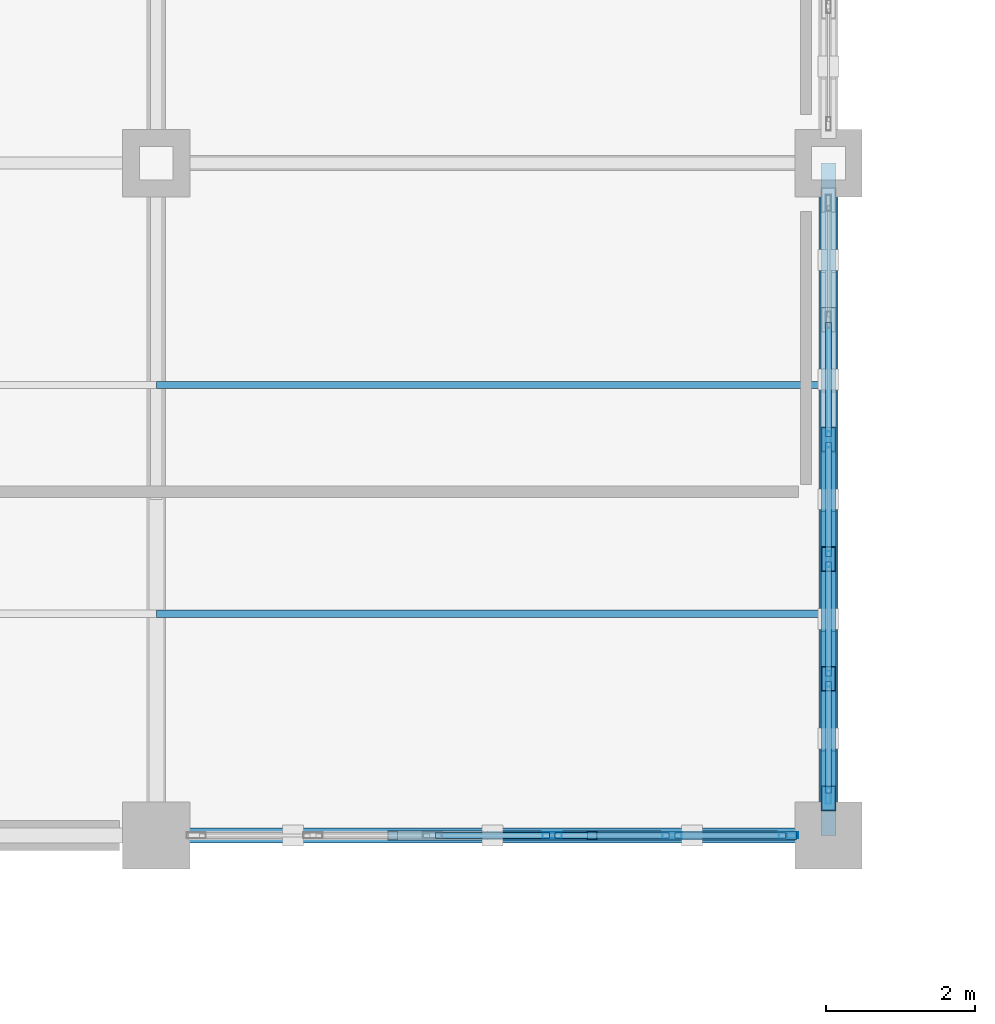
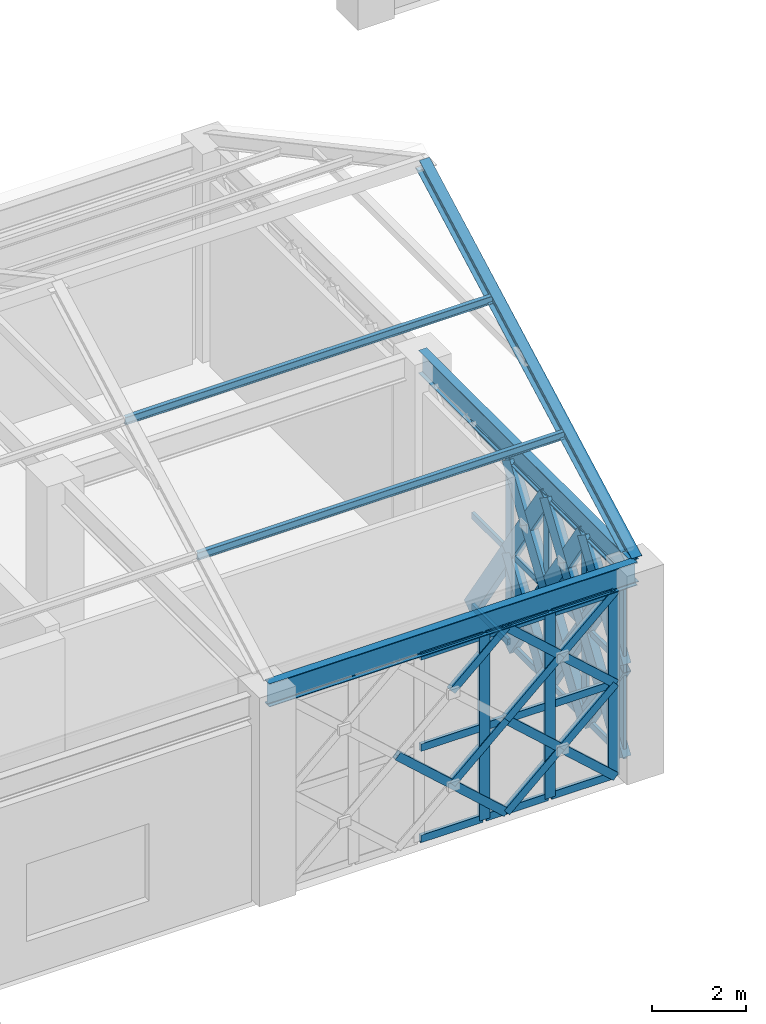
# One storey, part 63 of 166: 59 members, 2 beams, 2 elements without a shape of their own.
"""IFC4 building model written with IfcOpenShell, lengths in metres."""

from ifc_helpers import new_model, si_unit, direction, frame, origin, origin_2d, place, context, subcontext, project, spatial, hollow_rectangle, i_section, extrude, material, material_profile, profile_set, type_object, element, aggregate, save


model = new_model("IFC4")

# Units and contexts
model_context = context("Model", 3, precision=1e-05, world=origin(), true_north=direction((0.0, 1.0)))
body_context = subcontext(model_context, "Body", "Model", "MODEL_VIEW")
ifc_project = project(units=[si_unit("LENGTHUNIT", "METRE"), si_unit("AREAUNIT", "SQUARE_METRE"), si_unit("VOLUMEUNIT", "CUBIC_METRE"), si_unit("PLANEANGLEUNIT", "RADIAN"), si_unit("MASSUNIT", "GRAM", prefix="KILO")], contexts=[model_context])

# Site, building, storey
site_placement = place(None, origin())
site = spatial("IfcSite", under=ifc_project, at=site_placement, CompositionType="ELEMENT")
building_placement = place(site_placement, origin())
building = spatial("IfcBuilding", under=site, at=building_placement, Name="Haizhuo Lancet Aquarium", CompositionType="ELEMENT")
storey_placement = place(building_placement, frame((0.0, 0.0, 5.39990234375)))
storey = spatial("IfcBuildingStorey", under=building, at=storey_placement, Name="L01", CompositionType="ELEMENT", Elevation=5.39990234375)

# Beams
ifc_material_1 = material(Name="Steel S355", Category="steel")
ifc_material_profile_1 = material_profile(ifc_material_1, i_section(OverallWidth=0.199951171875, OverallDepth=0.60009765625, WebThickness=0.010986328125, FlangeThickness=0.01708984375, FilletRadius=0.02197265625, at=origin_2d()), Name="HN 600x200x11x17")
ifc_profile_set_1 = profile_set([ifc_material_profile_1], Name="Steel S355")
beam_type = type_object("IfcBeamType", Name="BM-ST-HN600", PredefinedType="BEAM", material=ifc_profile_set_1)
for number, where, z_axis, x_axis, name in (
    (1, (-45.0, 9.0, 5.10009765625), (1.0, 0.0, 0.0), (0.0, 1.0, 0.0), "L01 V2 primary girder BM-L01-V2-019"),
    (2, (-36.0, 9.0, 5.10009765625), (0.0, 1.0, 0.0), (-1.0, 0.0, 0.0), "L01 V2 primary girder BM-L01-V2-023"),
):
    element("IfcBeam", number, at=place(storey_placement, frame(where, z_axis=z_axis, x_axis=x_axis)), inside=storey, type_object=beam_type, Name=name, PredefinedType="BEAM", context=body_context, shape_type="SweptSolid", body=[
        extrude(i_section(OverallWidth=0.199951171875, OverallDepth=0.60009765625, WebThickness=0.010986328125, FlangeThickness=0.01708984375, FilletRadius=0.02197265625, at=origin_2d()), origin(), (0.0, 0.0, 1.0), 9.0),
    ])

# Curtain wall, members
ifc_material_2 = material(Name="Aluminium 6063-T6", Category="aluminium")
curtain_wall_type_1 = type_object("IfcCurtainWallType", Name="CWD-8010x4800", PredefinedType="NOTDEFINED", material=ifc_material_2)
curtain_wall_1_placement = place(storey_placement, origin())
curtain_wall_1 = element("IfcCurtainWall", 3, at=curtain_wall_1_placement, inside=storey, type_object=curtain_wall_type_1, Name="L01 curtain wall CW-V2-L01-026", PredefinedType="NOTDEFINED")
ifc_material_profile_2 = material_profile(ifc_material_2, hollow_rectangle(XDim=0.074951171875, YDim=0.219970703125, WallThickness=0.0048828125, at=origin_2d()), Name="ALU-M 75x220x5")
ifc_profile_set_2 = profile_set([ifc_material_profile_2], Name="Aluminium 6063-T6")
member_type_1 = type_object("IfcMemberType", Name="CW-MUL-2", PredefinedType="MULLION", material=ifc_profile_set_2)
member_1_placement = place(storey_placement, frame((-36.0, 14.301025390625, 0.0), z_axis=(0.0, 0.0, 1.0), x_axis=(1.0, 0.0, 0.0)))
member_1 = element("IfcMember", 4, at=member_1_placement, type_object=member_type_1, Name="CWD-80x48 mullion 3", PredefinedType="MULLION", context=body_context, shape_type="SweptSolid", body=[
    extrude(hollow_rectangle(XDim=0.074951171875, YDim=0.219970703125, WallThickness=0.0048828125, at=origin_2d()), origin(), (0.0, 0.0, 1.0), 4.800048828125),
])
member_2_placement = place(storey_placement, frame((-36.0, 12.698974609375, 0.0), z_axis=(0.0, 0.0, 1.0), x_axis=(1.0, 0.0, 0.0)))
member_2 = element("IfcMember", 5, at=member_2_placement, type_object=member_type_1, Name="CWD-80x48 mullion 4", PredefinedType="MULLION", context=body_context, shape_type="SweptSolid", body=[
    extrude(hollow_rectangle(XDim=0.074951171875, YDim=0.219970703125, WallThickness=0.0048828125, at=origin_2d()), origin(), (0.0, 0.0, 1.0), 4.800048828125),
])
member_3_placement = place(storey_placement, frame((-36.0, 11.096923828125, 0.0), z_axis=(0.0, 0.0, 1.0), x_axis=(1.0, 0.0, 0.0)))
member_3 = element("IfcMember", 6, at=member_3_placement, type_object=member_type_1, Name="CWD-80x48 mullion 5", PredefinedType="MULLION", context=body_context, shape_type="SweptSolid", body=[
    extrude(hollow_rectangle(XDim=0.074951171875, YDim=0.219970703125, WallThickness=0.0048828125, at=origin_2d()), origin(), (0.0, 0.0, 1.0), 4.800048828125),
])
member_4_placement = place(storey_placement, frame((-36.0, 9.531982421875, 0.0), z_axis=(0.0, 0.0, 1.0), x_axis=(1.0, 0.0, 0.0)))
member_4 = element("IfcMember", 7, at=member_4_placement, type_object=member_type_1, Name="CWD-80x48 mullion 6", PredefinedType="MULLION", context=body_context, shape_type="SweptSolid", body=[
    extrude(hollow_rectangle(XDim=0.074951171875, YDim=0.219970703125, WallThickness=0.0048828125, at=origin_2d()), origin(), (0.0, 0.0, 1.0), 4.800048828125),
])

curtain_wall_type_2 = type_object("IfcCurtainWallType", Name="CWO-8010x4800", PredefinedType="NOTDEFINED", material=ifc_material_2)
curtain_wall_2_placement = place(storey_placement, origin())
curtain_wall_2 = element("IfcCurtainWall", 8, at=curtain_wall_2_placement, inside=storey, type_object=curtain_wall_type_2, Name="L01 curtain wall CW-V2-L01-027", PredefinedType="NOTDEFINED")
ifc_material_profile_3 = material_profile(ifc_material_2, hollow_rectangle(XDim=0.080078125, YDim=0.260009765625, WallThickness=0.0048828125, at=origin_2d()), Name="ALU-M 80x260x5")
ifc_profile_set_3 = profile_set([ifc_material_profile_3], Name="Aluminium 6063-T6")
member_type_2 = type_object("IfcMemberType", Name="CW-MUL-3", PredefinedType="MULLION", material=ifc_profile_set_3)
member_5_placement = place(storey_placement, frame((-36.534912109375, 9.0, 0.0), z_axis=(0.0, 0.0, 1.0), x_axis=(0.0, -1.0, 0.0)))
member_5 = element("IfcMember", 9, at=member_5_placement, type_object=member_type_2, Name="CWO-80x48 mullion 1", PredefinedType="MULLION", context=body_context, shape_type="SweptSolid", body=[
    extrude(hollow_rectangle(XDim=0.080078125, YDim=0.260009765625, WallThickness=0.0048828125, at=origin_2d()), origin(), (0.0, 0.0, 1.0), 4.800048828125),
])
member_6_placement = place(storey_placement, frame((-38.096923828125, 9.0, 0.0), z_axis=(0.0, 0.0, 1.0), x_axis=(0.0, -1.0, 0.0)))
member_6 = element("IfcMember", 10, at=member_6_placement, type_object=member_type_2, Name="CWO-80x48 mullion 2", PredefinedType="MULLION", context=body_context, shape_type="SweptSolid", body=[
    extrude(hollow_rectangle(XDim=0.080078125, YDim=0.260009765625, WallThickness=0.0048828125, at=origin_2d()), origin(), (0.0, 0.0, 1.0), 4.800048828125),
])
member_7_placement = place(storey_placement, frame((-39.698974609375, 9.0, 0.0), z_axis=(0.0, 0.0, 1.0), x_axis=(0.0, -1.0, 0.0)))
member_7 = element("IfcMember", 11, at=member_7_placement, type_object=member_type_2, Name="CWO-80x48 mullion 3", PredefinedType="MULLION", context=body_context, shape_type="SweptSolid", body=[
    extrude(hollow_rectangle(XDim=0.080078125, YDim=0.260009765625, WallThickness=0.0048828125, at=origin_2d()), origin(), (0.0, 0.0, 1.0), 4.800048828125),
])

# Member
ifc_material_profile_4 = material_profile(ifc_material_2, hollow_rectangle(XDim=0.074951171875, YDim=0.159912109375, WallThickness=0.00390625, at=origin_2d()), Name="ALU-T 75x160x4")
ifc_profile_set_4 = profile_set([ifc_material_profile_4], Name="Aluminium 6063-T6")
member_type_3 = type_object("IfcMemberType", Name="CW-TRN-2", PredefinedType="NOTDEFINED", material=ifc_profile_set_4)
member_8_placement = place(storey_placement, frame((-36.0, 15.864990234375, 0.0380859375), z_axis=(0.0, -1.0, 0.0), x_axis=(1.0, 0.0, 0.0)))
member_8 = element("IfcMember", 12, at=member_8_placement, type_object=member_type_3, Name="CWD-80x48 transom 2.1", ObjectType="TRANSOM", PredefinedType="USERDEFINED", context=body_context, shape_type="SweptSolid", body=[
    extrude(hollow_rectangle(XDim=0.074951171875, YDim=0.159912109375, WallThickness=0.00390625, at=origin_2d()), origin(), (0.0, 0.0, 1.0), 1.527099609375),
])

member_9_placement = place(storey_placement, frame((-36.0, 15.864990234375, 2.400146484375), z_axis=(0.0, -1.0, 0.0), x_axis=(1.0, 0.0, 0.0)))
member_9 = element("IfcMember", 13, at=member_9_placement, type_object=member_type_3, Name="CWD-80x48 transom 2.2", ObjectType="TRANSOM", PredefinedType="USERDEFINED", context=body_context, shape_type="SweptSolid", body=[
    extrude(hollow_rectangle(XDim=0.074951171875, YDim=0.159912109375, WallThickness=0.00390625, at=origin_2d()), origin(), (0.0, 0.0, 1.0), 1.527099609375),
])

member_10_placement = place(storey_placement, frame((-36.0, 15.864990234375, 4.76220703125), z_axis=(0.0, -1.0, 0.0), x_axis=(1.0, 0.0, 0.0)))
member_10 = element("IfcMember", 14, at=member_10_placement, type_object=member_type_3, Name="CWD-80x48 transom 2.3", ObjectType="TRANSOM", PredefinedType="USERDEFINED", context=body_context, shape_type="SweptSolid", body=[
    extrude(hollow_rectangle(XDim=0.074951171875, YDim=0.159912109375, WallThickness=0.00390625, at=origin_2d()), origin(), (0.0, 0.0, 1.0), 1.527099609375),
])

member_11_placement = place(storey_placement, frame((-36.0, 14.262939453125, 0.0380859375), z_axis=(0.0, -1.0, 0.0), x_axis=(1.0, 0.0, 0.0)))
member_11 = element("IfcMember", 15, at=member_11_placement, type_object=member_type_3, Name="CWD-80x48 transom 3.1", ObjectType="TRANSOM", PredefinedType="USERDEFINED", context=body_context, shape_type="SweptSolid", body=[
    extrude(hollow_rectangle(XDim=0.074951171875, YDim=0.159912109375, WallThickness=0.00390625, at=origin_2d()), origin(), (0.0, 0.0, 1.0), 1.52685546875),
])

member_12_placement = place(storey_placement, frame((-36.0, 14.262939453125, 2.400146484375), z_axis=(0.0, -1.0, 0.0), x_axis=(1.0, 0.0, 0.0)))
member_12 = element("IfcMember", 16, at=member_12_placement, type_object=member_type_3, Name="CWD-80x48 transom 3.2", ObjectType="TRANSOM", PredefinedType="USERDEFINED", context=body_context, shape_type="SweptSolid", body=[
    extrude(hollow_rectangle(XDim=0.074951171875, YDim=0.159912109375, WallThickness=0.00390625, at=origin_2d()), origin(), (0.0, 0.0, 1.0), 1.52685546875),
])

member_13_placement = place(storey_placement, frame((-36.0, 14.262939453125, 4.76220703125), z_axis=(0.0, -1.0, 0.0), x_axis=(1.0, 0.0, 0.0)))
member_13 = element("IfcMember", 17, at=member_13_placement, type_object=member_type_3, Name="CWD-80x48 transom 3.3", ObjectType="TRANSOM", PredefinedType="USERDEFINED", context=body_context, shape_type="SweptSolid", body=[
    extrude(hollow_rectangle(XDim=0.074951171875, YDim=0.159912109375, WallThickness=0.00390625, at=origin_2d()), origin(), (0.0, 0.0, 1.0), 1.52685546875),
])

member_14_placement = place(storey_placement, frame((-36.0, 12.662109375, 0.0380859375), z_axis=(0.0, -1.0, 0.0), x_axis=(1.0, 0.0, 0.0)))
member_14 = element("IfcMember", 18, at=member_14_placement, type_object=member_type_3, Name="CWD-80x48 transom 4.1", ObjectType="TRANSOM", PredefinedType="USERDEFINED", context=body_context, shape_type="SweptSolid", body=[
    extrude(hollow_rectangle(XDim=0.074951171875, YDim=0.159912109375, WallThickness=0.00390625, at=origin_2d()), origin(), (0.0, 0.0, 1.0), 1.528076171875),
])

member_15_placement = place(storey_placement, frame((-36.0, 12.662109375, 2.400146484375), z_axis=(0.0, -1.0, 0.0), x_axis=(1.0, 0.0, 0.0)))
member_15 = element("IfcMember", 19, at=member_15_placement, type_object=member_type_3, Name="CWD-80x48 transom 4.2", ObjectType="TRANSOM", PredefinedType="USERDEFINED", context=body_context, shape_type="SweptSolid", body=[
    extrude(hollow_rectangle(XDim=0.074951171875, YDim=0.159912109375, WallThickness=0.00390625, at=origin_2d()), origin(), (0.0, 0.0, 1.0), 1.528076171875),
])

member_16_placement = place(storey_placement, frame((-36.0, 12.662109375, 4.76220703125), z_axis=(0.0, -1.0, 0.0), x_axis=(1.0, 0.0, 0.0)))
member_16 = element("IfcMember", 20, at=member_16_placement, type_object=member_type_3, Name="CWD-80x48 transom 4.3", ObjectType="TRANSOM", PredefinedType="USERDEFINED", context=body_context, shape_type="SweptSolid", body=[
    extrude(hollow_rectangle(XDim=0.074951171875, YDim=0.159912109375, WallThickness=0.00390625, at=origin_2d()), origin(), (0.0, 0.0, 1.0), 1.528076171875),
])

member_17_placement = place(storey_placement, frame((-36.0, 11.05908203125, 0.0380859375), z_axis=(0.0, -1.0, 0.0), x_axis=(1.0, 0.0, 0.0)))
member_17 = element("IfcMember", 21, at=member_17_placement, type_object=member_type_3, Name="CWD-80x48 transom 5.1", ObjectType="TRANSOM", PredefinedType="USERDEFINED", context=body_context, shape_type="SweptSolid", body=[
    extrude(hollow_rectangle(XDim=0.074951171875, YDim=0.159912109375, WallThickness=0.00390625, at=origin_2d()), origin(), (0.0, 0.0, 1.0), 1.489013671875),
])

member_18_placement = place(storey_placement, frame((-36.0, 11.05908203125, 2.400146484375), z_axis=(0.0, -1.0, 0.0), x_axis=(1.0, 0.0, 0.0)))
member_18 = element("IfcMember", 22, at=member_18_placement, type_object=member_type_3, Name="CWD-80x48 transom 5.2", ObjectType="TRANSOM", PredefinedType="USERDEFINED", context=body_context, shape_type="SweptSolid", body=[
    extrude(hollow_rectangle(XDim=0.074951171875, YDim=0.159912109375, WallThickness=0.00390625, at=origin_2d()), origin(), (0.0, 0.0, 1.0), 1.489013671875),
])

member_19_placement = place(storey_placement, frame((-36.0, 11.05908203125, 4.76220703125), z_axis=(0.0, -1.0, 0.0), x_axis=(1.0, 0.0, 0.0)))
member_19 = element("IfcMember", 23, at=member_19_placement, type_object=member_type_3, Name="CWD-80x48 transom 5.3", ObjectType="TRANSOM", PredefinedType="USERDEFINED", context=body_context, shape_type="SweptSolid", body=[
    extrude(hollow_rectangle(XDim=0.074951171875, YDim=0.159912109375, WallThickness=0.00390625, at=origin_2d()), origin(), (0.0, 0.0, 1.0), 1.489013671875),
])

aggregate(curtain_wall_1, [member_1, member_2, member_3, member_4, member_8, member_9, member_10, member_11, member_12, member_13, member_14, member_15, member_16, member_17, member_18, member_19])

ifc_material_profile_5 = material_profile(ifc_material_2, hollow_rectangle(XDim=0.080078125, YDim=0.18994140625, WallThickness=0.0048828125, at=origin_2d()), Name="ALU-T 80x190x5")
ifc_profile_set_5 = profile_set([ifc_material_profile_5], Name="Aluminium 6063-T6")
member_type_4 = type_object("IfcMemberType", Name="CW-TRN-3", PredefinedType="NOTDEFINED", material=ifc_profile_set_5)
member_20_placement = place(storey_placement, frame((-36.574951171875, 9.0, 0.0400390625), z_axis=(-1.0, 0.0, 0.0), x_axis=(0.0, -1.0, 0.0)))
member_20 = element("IfcMember", 24, at=member_20_placement, type_object=member_type_4, Name="CWO-80x48 transom 1.1", ObjectType="TRANSOM", PredefinedType="USERDEFINED", context=body_context, shape_type="SweptSolid", body=[
    extrude(hollow_rectangle(XDim=0.080078125, YDim=0.18994140625, WallThickness=0.0048828125, at=origin_2d()), origin(), (0.0, 0.0, 1.0), 1.48193359375),
])

member_21_placement = place(storey_placement, frame((-36.574951171875, 9.0, 2.400146484375), z_axis=(-1.0, 0.0, 0.0), x_axis=(0.0, -1.0, 0.0)))
member_21 = element("IfcMember", 25, at=member_21_placement, type_object=member_type_4, Name="CWO-80x48 transom 1.2", ObjectType="TRANSOM", PredefinedType="USERDEFINED", context=body_context, shape_type="SweptSolid", body=[
    extrude(hollow_rectangle(XDim=0.080078125, YDim=0.18994140625, WallThickness=0.0048828125, at=origin_2d()), origin(), (0.0, 0.0, 1.0), 1.48193359375),
])

member_22_placement = place(storey_placement, frame((-36.574951171875, 9.0, 4.760009765625), z_axis=(-1.0, 0.0, 0.0), x_axis=(0.0, -1.0, 0.0)))
member_22 = element("IfcMember", 26, at=member_22_placement, type_object=member_type_4, Name="CWO-80x48 transom 1.3", ObjectType="TRANSOM", PredefinedType="USERDEFINED", context=body_context, shape_type="SweptSolid", body=[
    extrude(hollow_rectangle(XDim=0.080078125, YDim=0.18994140625, WallThickness=0.0048828125, at=origin_2d()), origin(), (0.0, 0.0, 1.0), 1.48193359375),
])

member_23_placement = place(storey_placement, frame((-38.136962890625, 9.0, 0.0400390625), z_axis=(-1.0, 0.0, 0.0), x_axis=(0.0, -1.0, 0.0)))
member_23 = element("IfcMember", 27, at=member_23_placement, type_object=member_type_4, Name="CWO-80x48 transom 2.1", ObjectType="TRANSOM", PredefinedType="USERDEFINED", context=body_context, shape_type="SweptSolid", body=[
    extrude(hollow_rectangle(XDim=0.080078125, YDim=0.18994140625, WallThickness=0.0048828125, at=origin_2d()), origin(), (0.0, 0.0, 1.0), 1.52197265625),
])

member_24_placement = place(storey_placement, frame((-38.136962890625, 9.0, 2.400146484375), z_axis=(-1.0, 0.0, 0.0), x_axis=(0.0, -1.0, 0.0)))
member_24 = element("IfcMember", 28, at=member_24_placement, type_object=member_type_4, Name="CWO-80x48 transom 2.2", ObjectType="TRANSOM", PredefinedType="USERDEFINED", context=body_context, shape_type="SweptSolid", body=[
    extrude(hollow_rectangle(XDim=0.080078125, YDim=0.18994140625, WallThickness=0.0048828125, at=origin_2d()), origin(), (0.0, 0.0, 1.0), 1.52197265625),
])

member_25_placement = place(storey_placement, frame((-38.136962890625, 9.0, 4.760009765625), z_axis=(-1.0, 0.0, 0.0), x_axis=(0.0, -1.0, 0.0)))
member_25 = element("IfcMember", 29, at=member_25_placement, type_object=member_type_4, Name="CWO-80x48 transom 2.3", ObjectType="TRANSOM", PredefinedType="USERDEFINED", context=body_context, shape_type="SweptSolid", body=[
    extrude(hollow_rectangle(XDim=0.080078125, YDim=0.18994140625, WallThickness=0.0048828125, at=origin_2d()), origin(), (0.0, 0.0, 1.0), 1.52197265625),
])

member_26_placement = place(storey_placement, frame((-39.739013671875, 9.0, 0.0400390625), z_axis=(-1.0, 0.0, 0.0), x_axis=(0.0, -1.0, 0.0)))
member_26 = element("IfcMember", 30, at=member_26_placement, type_object=member_type_4, Name="CWO-80x48 transom 3.1", ObjectType="TRANSOM", PredefinedType="USERDEFINED", context=body_context, shape_type="SweptSolid", body=[
    extrude(hollow_rectangle(XDim=0.080078125, YDim=0.18994140625, WallThickness=0.0048828125, at=origin_2d()), origin(), (0.0, 0.0, 1.0), 1.52197265625),
])

member_27_placement = place(storey_placement, frame((-39.739013671875, 9.0, 2.400146484375), z_axis=(-1.0, 0.0, 0.0), x_axis=(0.0, -1.0, 0.0)))
member_27 = element("IfcMember", 31, at=member_27_placement, type_object=member_type_4, Name="CWO-80x48 transom 3.2", ObjectType="TRANSOM", PredefinedType="USERDEFINED", context=body_context, shape_type="SweptSolid", body=[
    extrude(hollow_rectangle(XDim=0.080078125, YDim=0.18994140625, WallThickness=0.0048828125, at=origin_2d()), origin(), (0.0, 0.0, 1.0), 1.52197265625),
])

member_28_placement = place(storey_placement, frame((-39.739013671875, 9.0, 4.760009765625), z_axis=(-1.0, 0.0, 0.0), x_axis=(0.0, -1.0, 0.0)))
member_28 = element("IfcMember", 32, at=member_28_placement, type_object=member_type_4, Name="CWO-80x48 transom 3.3", ObjectType="TRANSOM", PredefinedType="USERDEFINED", context=body_context, shape_type="SweptSolid", body=[
    extrude(hollow_rectangle(XDim=0.080078125, YDim=0.18994140625, WallThickness=0.0048828125, at=origin_2d()), origin(), (0.0, 0.0, 1.0), 1.52197265625),
])

aggregate(curtain_wall_2, [member_5, member_6, member_7, member_20, member_21, member_22, member_23, member_24, member_25, member_26, member_27, member_28])

# Members
ifc_material_profile_6 = material_profile(ifc_material_1, hollow_rectangle(XDim=0.1201171875, YDim=0.199951171875, WallThickness=0.008056640625, at=origin_2d()), Name="RHS 120x200x8")
ifc_profile_set_6 = profile_set([ifc_material_profile_6], Name="Steel S355")
member_type_5 = type_object("IfcMemberType", Name="MEM-LB-RHS120x200", PredefinedType="BRACE", material=ifc_profile_set_6)
member_29_placement = place(storey_placement, frame((-36.4951171875, 9.0, 0.0), z_axis=(-0.743679497737, 0.0, 0.668536315129), x_axis=(0.0, -1.0, 0.0)))
element("IfcMember", 33, at=member_29_placement, inside=storey, type_object=member_type_5, Name="Gothic lancet continuous diagonal brace CW-V2-L01-027 1A", PredefinedType="BRACE", context=body_context, shape_type="SweptSolid", body=[
    extrude(hollow_rectangle(XDim=0.1201171875, YDim=0.199951171875, WallThickness=0.008056640625, at=origin_2d()), origin(), (0.0, 0.0, 1.0), 3.590087890625),
])
member_30_placement = place(storey_placement, frame((-39.1650390625, 9.0, 0.0), z_axis=(0.743645688872, 0.0, 0.668573922182), x_axis=(0.0, 1.0, 0.0)))
element("IfcMember", 34, at=member_30_placement, inside=storey, type_object=member_type_5, Name="Gothic lancet split diagonal brace CW-V2-L01-027 1B1", PredefinedType="BRACE", context=body_context, shape_type="SweptSolid", body=[
    extrude(hollow_rectangle(XDim=0.1201171875, YDim=0.199951171875, WallThickness=0.008056640625, at=origin_2d()), origin(), (0.0, 0.0, 1.0), 1.795166015625),
])
member_31_placement = place(storey_placement, frame((-37.830078125, 9.0, 1.2001953125), z_axis=(0.743713307774, 0.0, 0.668498702946), x_axis=(0.0, 1.0, 0.0)))
element("IfcMember", 35, at=member_31_placement, inside=storey, type_object=member_type_5, Name="Gothic lancet split diagonal brace CW-V2-L01-027 1B2", PredefinedType="BRACE", context=body_context, shape_type="SweptSolid", body=[
    extrude(hollow_rectangle(XDim=0.1201171875, YDim=0.199951171875, WallThickness=0.008056640625, at=origin_2d()), origin(), (0.0, 0.0, 1.0), 1.794921875),
])
member_32_placement = place(storey_placement, frame((-36.4951171875, 9.0, 2.400146484375), z_axis=(-0.743713307774, 0.0, 0.668498702946), x_axis=(0.0, -1.0, 0.0)))
element("IfcMember", 36, at=member_32_placement, inside=storey, type_object=member_type_5, Name="Gothic lancet continuous diagonal brace CW-V2-L01-027 2A", PredefinedType="BRACE", context=body_context, shape_type="SweptSolid", body=[
    extrude(hollow_rectangle(XDim=0.1201171875, YDim=0.199951171875, WallThickness=0.008056640625, at=origin_2d()), origin(), (0.0, 0.0, 1.0), 3.590087890625),
])
for number, where, z_axis, x_axis, name in (
    (37, (-39.1650390625, 9.0, 2.400146484375), (0.743713307774, 0.0, 0.668498702946), (0.0, 1.0, 0.0), "Gothic lancet split diagonal brace CW-V2-L01-027 2B1"),
    (38, (-37.830078125, 9.0, 3.60009765625), (0.743713307774, 0.0, 0.668498702946), (0.0, 1.0, 0.0), "Gothic lancet split diagonal brace CW-V2-L01-027 2B2"),
):
    element("IfcMember", number, at=place(storey_placement, frame(where, z_axis=z_axis, x_axis=x_axis)), inside=storey, type_object=member_type_5, Name=name, PredefinedType="BRACE", context=body_context, shape_type="SweptSolid", body=[
        extrude(hollow_rectangle(XDim=0.1201171875, YDim=0.199951171875, WallThickness=0.008056640625, at=origin_2d()), origin(), (0.0, 0.0, 1.0), 1.794921875),
    ])
member_33_placement = place(storey_placement, frame((-39.1650390625, 9.0, 0.0), z_axis=(-0.743679497737, 0.0, 0.668536315129), x_axis=(0.0, -1.0, 0.0)))
element("IfcMember", 39, at=member_33_placement, inside=storey, type_object=member_type_5, Name="Gothic lancet continuous diagonal brace CW-V2-L01-027 3A", PredefinedType="BRACE", context=body_context, shape_type="SweptSolid", body=[
    extrude(hollow_rectangle(XDim=0.1201171875, YDim=0.199951171875, WallThickness=0.008056640625, at=origin_2d()), origin(), (0.0, 0.0, 1.0), 3.590087890625),
])
for number, where, z_axis, x_axis, name in (
    (40, (-40.5, 9.0, 1.2001953125), (0.743713307774, 0.0, 0.668498702946), (0.0, 1.0, 0.0), "Gothic lancet split diagonal brace CW-V2-L01-027 3B2"),
    (41, (-40.5, 9.0, 3.60009765625), (0.743713307774, 0.0, 0.668498702946), (0.0, 1.0, 0.0), "Gothic lancet split diagonal brace CW-V2-L01-027 4B2"),
):
    element("IfcMember", number, at=place(storey_placement, frame(where, z_axis=z_axis, x_axis=x_axis)), inside=storey, type_object=member_type_5, Name=name, PredefinedType="BRACE", context=body_context, shape_type="SweptSolid", body=[
        extrude(hollow_rectangle(XDim=0.1201171875, YDim=0.199951171875, WallThickness=0.008056640625, at=origin_2d()), origin(), (0.0, 0.0, 1.0), 1.794921875),
    ])
ifc_material_profile_7 = material_profile(ifc_material_1, hollow_rectangle(XDim=0.199951171875, YDim=0.39990234375, WallThickness=0.011962890625, at=origin_2d()), Name="RHS 200x400x12")
ifc_profile_set_7 = profile_set([ifc_material_profile_7], Name="Steel S355")
member_type_6 = type_object("IfcMemberType", Name="MEM-LB-RHS200x400", PredefinedType="BRACE", material=ifc_profile_set_7)
for number, where, z_axis, x_axis, name in (
    (42, (-36.0, 15.903076171875, 0.0), (0.0, -0.555168681931, 0.831737779954), (1.0, 0.0, 0.0), "Gothic lancet continuous diagonal brace CW-V2-L01-026 3A"),
    (43, (-36.0, 14.301025390625, 0.0), (0.0, -0.555168681931, 0.831737779954), (1.0, 0.0, 0.0), "Gothic lancet continuous diagonal brace CW-V2-L01-026 5A"),
):
    element("IfcMember", number, at=place(storey_placement, frame(where, z_axis=z_axis, x_axis=x_axis)), inside=storey, type_object=member_type_6, Name=name, PredefinedType="BRACE", context=body_context, shape_type="SweptSolid", body=[
        extrude(hollow_rectangle(XDim=0.199951171875, YDim=0.39990234375, WallThickness=0.011962890625, at=origin_2d()), origin(), (0.0, 0.0, 1.0), 2.8857421875),
    ])
member_34_placement = place(storey_placement, frame((-36.0, 12.698974609375, 0.0), z_axis=(0.0, 0.555129617962, 0.831763853063), x_axis=(-1.0, 0.0, 0.0)))
element("IfcMember", 44, at=member_34_placement, inside=storey, type_object=member_type_6, Name="Gothic lancet split diagonal brace CW-V2-L01-026 5B1", PredefinedType="BRACE", context=body_context, shape_type="SweptSolid", body=[
    extrude(hollow_rectangle(XDim=0.199951171875, YDim=0.39990234375, WallThickness=0.011962890625, at=origin_2d()), origin(), (0.0, 0.0, 1.0), 1.44287109375),
])
member_35_placement = place(storey_placement, frame((-36.0, 13.5, 1.2001953125), z_axis=(0.0, 0.555207750173, 0.831711701341), x_axis=(-1.0, 0.0, 0.0)))
element("IfcMember", 45, at=member_35_placement, inside=storey, type_object=member_type_6, Name="Gothic lancet split diagonal brace CW-V2-L01-026 5B2", PredefinedType="BRACE", context=body_context, shape_type="SweptSolid", body=[
    extrude(hollow_rectangle(XDim=0.199951171875, YDim=0.39990234375, WallThickness=0.011962890625, at=origin_2d()), origin(), (0.0, 0.0, 1.0), 1.442626953125),
])
member_36_placement = place(storey_placement, frame((-36.0, 14.301025390625, 2.400146484375), z_axis=(0.0, -0.555207750173, 0.831711701341), x_axis=(1.0, 0.0, 0.0)))
element("IfcMember", 46, at=member_36_placement, inside=storey, type_object=member_type_6, Name="Gothic lancet continuous diagonal brace CW-V2-L01-026 6A", PredefinedType="BRACE", context=body_context, shape_type="SweptSolid", body=[
    extrude(hollow_rectangle(XDim=0.199951171875, YDim=0.39990234375, WallThickness=0.011962890625, at=origin_2d()), origin(), (0.0, 0.0, 1.0), 2.885498046875),
])
for number, where, z_axis, x_axis, name in (
    (47, (-36.0, 12.698974609375, 2.400146484375), (0.0, 0.555207750173, 0.831711701341), (-1.0, 0.0, 0.0), "Gothic lancet split diagonal brace CW-V2-L01-026 6B1"),
    (48, (-36.0, 13.5, 3.60009765625), (0.0, 0.555207750173, 0.831711701341), (-1.0, 0.0, 0.0), "Gothic lancet split diagonal brace CW-V2-L01-026 6B2"),
):
    element("IfcMember", number, at=place(storey_placement, frame(where, z_axis=z_axis, x_axis=x_axis)), inside=storey, type_object=member_type_6, Name=name, PredefinedType="BRACE", context=body_context, shape_type="SweptSolid", body=[
        extrude(hollow_rectangle(XDim=0.199951171875, YDim=0.39990234375, WallThickness=0.011962890625, at=origin_2d()), origin(), (0.0, 0.0, 1.0), 1.442626953125),
    ])
member_37_placement = place(storey_placement, frame((-36.0, 12.698974609375, 0.0), z_axis=(0.0, -0.555168681931, 0.831737779954), x_axis=(1.0, 0.0, 0.0)))
element("IfcMember", 49, at=member_37_placement, inside=storey, type_object=member_type_6, Name="Gothic lancet continuous diagonal brace CW-V2-L01-026 7A", PredefinedType="BRACE", context=body_context, shape_type="SweptSolid", body=[
    extrude(hollow_rectangle(XDim=0.199951171875, YDim=0.39990234375, WallThickness=0.011962890625, at=origin_2d()), origin(), (0.0, 0.0, 1.0), 2.8857421875),
])
member_38_placement = place(storey_placement, frame((-36.0, 11.096923828125, 0.0), z_axis=(0.0, 0.555129617962, 0.831763853063), x_axis=(-1.0, 0.0, 0.0)))
element("IfcMember", 50, at=member_38_placement, inside=storey, type_object=member_type_6, Name="Gothic lancet split diagonal brace CW-V2-L01-026 7B1", PredefinedType="BRACE", context=body_context, shape_type="SweptSolid", body=[
    extrude(hollow_rectangle(XDim=0.199951171875, YDim=0.39990234375, WallThickness=0.011962890625, at=origin_2d()), origin(), (0.0, 0.0, 1.0), 1.44287109375),
])
member_39_placement = place(storey_placement, frame((-36.0, 11.89794921875, 1.2001953125), z_axis=(0.0, 0.555207750173, 0.831711701341), x_axis=(-1.0, 0.0, 0.0)))
element("IfcMember", 51, at=member_39_placement, inside=storey, type_object=member_type_6, Name="Gothic lancet split diagonal brace CW-V2-L01-026 7B2", PredefinedType="BRACE", context=body_context, shape_type="SweptSolid", body=[
    extrude(hollow_rectangle(XDim=0.199951171875, YDim=0.39990234375, WallThickness=0.011962890625, at=origin_2d()), origin(), (0.0, 0.0, 1.0), 1.442626953125),
])
member_40_placement = place(storey_placement, frame((-36.0, 12.698974609375, 2.400146484375), z_axis=(0.0, -0.555207750173, 0.831711701341), x_axis=(1.0, 0.0, 0.0)))
element("IfcMember", 52, at=member_40_placement, inside=storey, type_object=member_type_6, Name="Gothic lancet continuous diagonal brace CW-V2-L01-026 8A", PredefinedType="BRACE", context=body_context, shape_type="SweptSolid", body=[
    extrude(hollow_rectangle(XDim=0.199951171875, YDim=0.39990234375, WallThickness=0.011962890625, at=origin_2d()), origin(), (0.0, 0.0, 1.0), 2.885498046875),
])
for number, where, z_axis, x_axis, name in (
    (53, (-36.0, 11.096923828125, 2.400146484375), (0.0, 0.555207750173, 0.831711701341), (-1.0, 0.0, 0.0), "Gothic lancet split diagonal brace CW-V2-L01-026 8B1"),
    (54, (-36.0, 11.89794921875, 3.60009765625), (0.0, 0.555207750173, 0.831711701341), (-1.0, 0.0, 0.0), "Gothic lancet split diagonal brace CW-V2-L01-026 8B2"),
):
    element("IfcMember", number, at=place(storey_placement, frame(where, z_axis=z_axis, x_axis=x_axis)), inside=storey, type_object=member_type_6, Name=name, PredefinedType="BRACE", context=body_context, shape_type="SweptSolid", body=[
        extrude(hollow_rectangle(XDim=0.199951171875, YDim=0.39990234375, WallThickness=0.011962890625, at=origin_2d()), origin(), (0.0, 0.0, 1.0), 1.442626953125),
    ])
member_41_placement = place(storey_placement, frame((-36.0, 11.096923828125, 0.0), z_axis=(0.0, -0.555110150089, 0.831776845835), x_axis=(1.0, 0.0, 0.0)))
element("IfcMember", 55, at=member_41_placement, inside=storey, type_object=member_type_6, Name="Gothic lancet continuous diagonal brace CW-V2-L01-026 9A", PredefinedType="BRACE", context=body_context, shape_type="SweptSolid", body=[
    extrude(hollow_rectangle(XDim=0.199951171875, YDim=0.39990234375, WallThickness=0.011962890625, at=origin_2d()), origin(), (0.0, 0.0, 1.0), 2.885498046875),
])
member_42_placement = place(storey_placement, frame((-36.0, 9.4951171875, 0.0), z_axis=(0.0, 0.555012546931, 0.831841975828), x_axis=(-1.0, 0.0, 0.0)))
element("IfcMember", 56, at=member_42_placement, inside=storey, type_object=member_type_6, Name="Gothic lancet split diagonal brace CW-V2-L01-026 9B1", PredefinedType="BRACE", context=body_context, shape_type="SweptSolid", body=[
    extrude(hollow_rectangle(XDim=0.199951171875, YDim=0.39990234375, WallThickness=0.011962890625, at=origin_2d()), origin(), (0.0, 0.0, 1.0), 1.44287109375),
])
member_43_placement = place(storey_placement, frame((-36.0, 10.2958984375, 1.2001953125), z_axis=(0.0, 0.555207750173, 0.831711701341), x_axis=(-1.0, 0.0, 0.0)))
element("IfcMember", 57, at=member_43_placement, inside=storey, type_object=member_type_6, Name="Gothic lancet split diagonal brace CW-V2-L01-026 9B2", PredefinedType="BRACE", context=body_context, shape_type="SweptSolid", body=[
    extrude(hollow_rectangle(XDim=0.199951171875, YDim=0.39990234375, WallThickness=0.011962890625, at=origin_2d()), origin(), (0.0, 0.0, 1.0), 1.442626953125),
])
member_44_placement = place(storey_placement, frame((-36.0, 11.096923828125, 2.400146484375), z_axis=(0.0, -0.555149217883, 0.831750771496), x_axis=(1.0, 0.0, 0.0)))
element("IfcMember", 58, at=member_44_placement, inside=storey, type_object=member_type_6, Name="Gothic lancet continuous diagonal brace CW-V2-L01-026 10A", PredefinedType="BRACE", context=body_context, shape_type="SweptSolid", body=[
    extrude(hollow_rectangle(XDim=0.199951171875, YDim=0.39990234375, WallThickness=0.011962890625, at=origin_2d()), origin(), (0.0, 0.0, 1.0), 2.88525390625),
])
for number, where, z_axis, x_axis, name in (
    (59, (-36.0, 9.4951171875, 2.400146484375), (0.0, 0.555090677343, 0.831789841202), (-1.0, 0.0, 0.0), "Gothic lancet split diagonal brace CW-V2-L01-026 10B1"),
    (60, (-36.0, 10.2958984375, 3.60009765625), (0.0, 0.555207750173, 0.831711701341), (-1.0, 0.0, 0.0), "Gothic lancet split diagonal brace CW-V2-L01-026 10B2"),
):
    element("IfcMember", number, at=place(storey_placement, frame(where, z_axis=z_axis, x_axis=x_axis)), inside=storey, type_object=member_type_6, Name=name, PredefinedType="BRACE", context=body_context, shape_type="SweptSolid", body=[
        extrude(hollow_rectangle(XDim=0.199951171875, YDim=0.39990234375, WallThickness=0.011962890625, at=origin_2d()), origin(), (0.0, 0.0, 1.0), 1.442626953125),
    ])
ifc_material_profile_8 = material_profile(ifc_material_1, i_section(OverallWidth=0.10009765625, OverallDepth=0.199951171875, WebThickness=0.005615234375, FlangeThickness=0.008056640625, FilletRadius=0.008056640625, at=origin_2d()), Name="HN 200x100x5.5x8")
ifc_profile_set_8 = profile_set([ifc_material_profile_8], Name="Steel S355")
member_type_7 = type_object("IfcMemberType", Name="MEM-PR-HN200", PredefinedType="PURLIN", material=ifc_profile_set_8)
for number, where, z_axis, x_axis, name in (
    (61, (-45.0, 11.969970703125, 6.859130859375), (1.0, 0.0, 0.0), (0.0, 1.0, 0.0), "V2 south roof purlin 4"),
    (62, (-45.0, 15.030029296875, 8.507080078125), (1.0, 0.0, 0.0), (0.0, 1.0, 0.0), "V2 south roof purlin 4"),
):
    element("IfcMember", number, at=place(storey_placement, frame(where, z_axis=z_axis, x_axis=x_axis)), inside=storey, type_object=member_type_7, Name=name, PredefinedType="PURLIN", context=body_context, shape_type="SweptSolid", body=[
        extrude(i_section(OverallWidth=0.10009765625, OverallDepth=0.199951171875, WebThickness=0.005615234375, FlangeThickness=0.008056640625, FilletRadius=0.008056640625, at=origin_2d()), origin(), (0.0, 0.0, 1.0), 9.0),
    ])
ifc_material_profile_9 = material_profile(ifc_material_1, i_section(OverallWidth=0.25, OverallDepth=0.340087890625, WebThickness=0.009033203125, FlangeThickness=0.013916015625, FilletRadius=0.01806640625, at=origin_2d()), Name="HM 340x250x9x14")
ifc_profile_set_9 = profile_set([ifc_material_profile_9], Name="Steel S355")
member_type_8 = type_object("IfcMemberType", Name="MEM-RF-HM340", PredefinedType="RAFTER", material=ifc_profile_set_9)
member_45_placement = place(storey_placement, frame((-36.0, 9.0, 5.3701171875), z_axis=(0.0, 0.880479536064, 0.474084155581), x_axis=(-1.0, 0.0, 0.0)))
element("IfcMember", 63, at=member_45_placement, inside=storey, type_object=member_type_8, Name="V2 Gothic pitched roof south rafter 5", PredefinedType="RAFTER", context=body_context, shape_type="SweptSolid", body=[
    extrude(i_section(OverallWidth=0.25, OverallDepth=0.340087890625, WebThickness=0.009033203125, FlangeThickness=0.013916015625, FilletRadius=0.01806640625, at=origin_2d()), origin(), (0.0, 0.0, 1.0), 10.2216796875),
])

save(model, "model.ifc")
